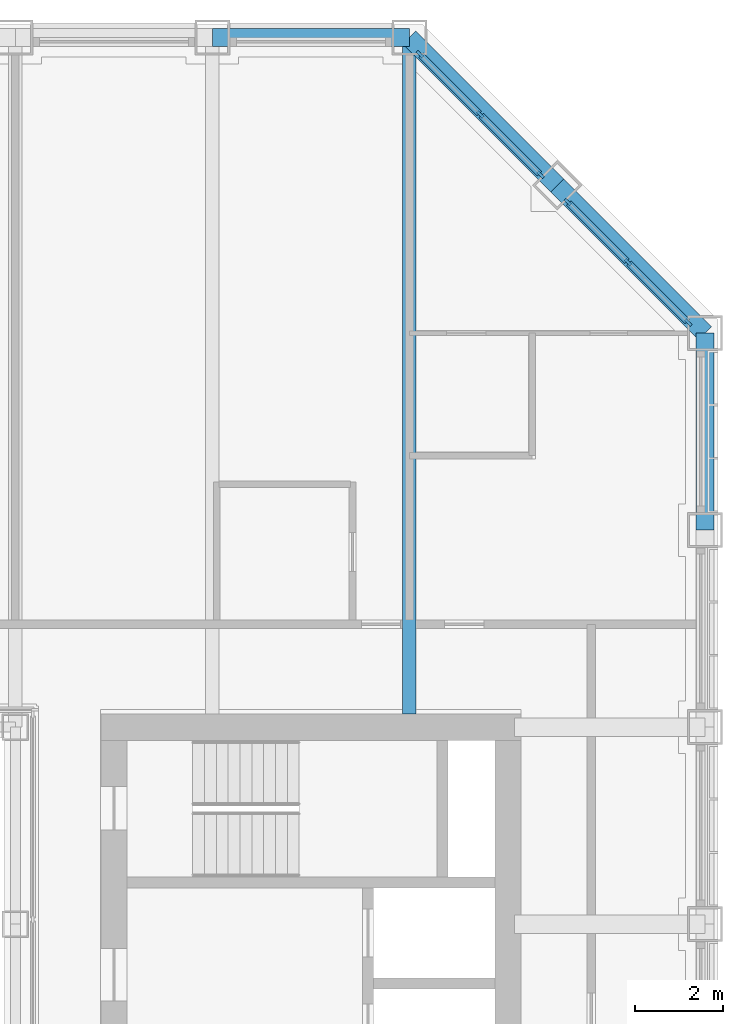
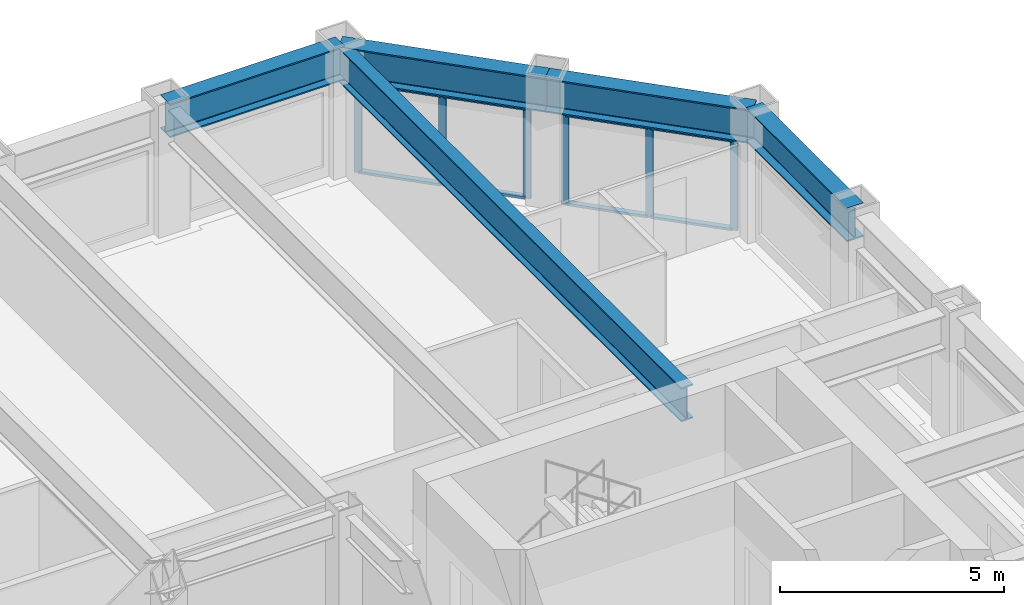
# One storey, part 8 of 17: 14 members, 5 beams, 2 elements without a shape of their own.
"""IFC4 building model written with IfcOpenShell, lengths in metres."""

from ifc_helpers import new_model, si_unit, direction, frame, origin, origin_2d, place, context, subcontext, project, spatial, rectangle, i_section, extrude, material, material_profile, profile_set, type_object, element, aggregate, save


model = new_model("IFC4")

# Units and contexts
model_context = context("Model", 3, precision=1e-05, world=origin(), true_north=direction((0.0, 1.0)))
body_context = subcontext(model_context, "Body", "Model", "MODEL_VIEW")
ifc_project = project(units=[si_unit("LENGTHUNIT", "METRE"), si_unit("AREAUNIT", "SQUARE_METRE"), si_unit("VOLUMEUNIT", "CUBIC_METRE"), si_unit("PLANEANGLEUNIT", "RADIAN"), si_unit("MASSUNIT", "GRAM", prefix="KILO")], contexts=[model_context])

# Site, building, storey
site_placement = place(None, origin())
site = spatial("IfcSite", under=ifc_project, at=site_placement, CompositionType="ELEMENT")
building_placement = place(site_placement, origin())
building = spatial("IfcBuilding", under=site, at=building_placement, Name="Msasa Ring Tower", CompositionType="ELEMENT")
storey_placement = place(building_placement, frame((0.0, 0.0, 161.60009765625)))
storey = spatial("IfcBuildingStorey", under=building, at=storey_placement, Name="L42", CompositionType="ELEMENT", Elevation=161.60009765625)

# Curtain wall, members
ifc_material_1 = material(Name="Aluminium curtain wall with clear glass", Category="aluminium")
curtain_wall_type = type_object("IfcCurtainWallType", Name="CW-C CHAMFER CORNER CURTAIN WALL", PredefinedType="NOTDEFINED", material=ifc_material_1)
curtain_wall_1_placement = place(storey_placement, origin())
curtain_wall_1 = element("IfcCurtainWall", 1, at=curtain_wall_1_placement, inside=storey, type_object=curtain_wall_type, Name="Chamfer corner curtain wall NE L42", PredefinedType="NOTDEFINED")
ifc_material_2 = material(Name="Aluminium mullion", Category="aluminium")
ifc_material_profile_1 = material_profile(ifc_material_2, rectangle(XDim=0.06494140625, YDim=0.179931640625, at=origin_2d()), Name="AL 65x180")
ifc_profile_set_1 = profile_set([ifc_material_profile_1], Name="Aluminium mullion")
member_type_1 = type_object("IfcMemberType", Name="CW-C MULLION 65x180", PredefinedType="MULLION", material=ifc_profile_set_1)
member_1_placement = place(storey_placement, frame((18.744873046875, 19.36376953125, 0.0), z_axis=(0.0, 0.0, 1.0), x_axis=(-0.707106781187, -0.707106781187, 0.0)))
member_1 = element("IfcMember", 2, at=member_1_placement, type_object=member_type_1, Name="CW-C mullion 1", PredefinedType="MULLION", context=body_context, shape_type="SweptSolid", body=[
    extrude(rectangle(XDim=0.06494140625, YDim=0.179931640625, at=origin_2d()), origin(), (0.0, 0.0, 1.0), 2.47900390625),
])
member_2_placement = place(storey_placement, frame((17.36669921875, 20.74169921875, 0.0), z_axis=(0.0, 0.0, 1.0), x_axis=(-0.707106781187, -0.707106781187, 0.0)))
member_2 = element("IfcMember", 3, at=member_2_placement, type_object=member_type_1, Name="CW-C mullion 2", PredefinedType="MULLION", context=body_context, shape_type="SweptSolid", body=[
    extrude(rectangle(XDim=0.06494140625, YDim=0.179931640625, at=origin_2d()), origin(), (0.0, 0.0, 1.0), 2.47900390625),
])
member_3_placement = place(storey_placement, frame((15.98876953125, 22.119873046875, 0.0), z_axis=(0.0, 0.0, 1.0), x_axis=(-0.707106781187, -0.707106781187, 0.0)))
member_3 = element("IfcMember", 4, at=member_3_placement, type_object=member_type_1, Name="CW-C mullion 3", PredefinedType="MULLION", context=body_context, shape_type="SweptSolid", body=[
    extrude(rectangle(XDim=0.06494140625, YDim=0.179931640625, at=origin_2d()), origin(), (0.0, 0.0, 1.0), 2.47900390625),
])

curtain_wall_2_placement = place(storey_placement, origin())
curtain_wall_2 = element("IfcCurtainWall", 5, at=curtain_wall_2_placement, inside=storey, type_object=curtain_wall_type, Name="Chamfer corner curtain wall NE L42", PredefinedType="NOTDEFINED")
member_4_placement = place(storey_placement, frame((22.119873046875, 15.98876953125, 0.0), z_axis=(0.0, 0.0, 1.0), x_axis=(-0.707106781187, -0.707106781187, 0.0)))
member_4 = element("IfcMember", 6, at=member_4_placement, type_object=member_type_1, Name="CW-C mullion 1", PredefinedType="MULLION", context=body_context, shape_type="SweptSolid", body=[
    extrude(rectangle(XDim=0.06494140625, YDim=0.179931640625, at=origin_2d()), origin(), (0.0, 0.0, 1.0), 2.47900390625),
])
member_5_placement = place(storey_placement, frame((20.74169921875, 17.36669921875, 0.0), z_axis=(0.0, 0.0, 1.0), x_axis=(-0.707106781187, -0.707106781187, 0.0)))
member_5 = element("IfcMember", 7, at=member_5_placement, type_object=member_type_1, Name="CW-C mullion 2", PredefinedType="MULLION", context=body_context, shape_type="SweptSolid", body=[
    extrude(rectangle(XDim=0.06494140625, YDim=0.179931640625, at=origin_2d()), origin(), (0.0, 0.0, 1.0), 2.47900390625),
])
member_6_placement = place(storey_placement, frame((19.36376953125, 18.744873046875, 0.0), z_axis=(0.0, 0.0, 1.0), x_axis=(-0.707106781187, -0.707106781187, 0.0)))
member_6 = element("IfcMember", 8, at=member_6_placement, type_object=member_type_1, Name="CW-C mullion 3", PredefinedType="MULLION", context=body_context, shape_type="SweptSolid", body=[
    extrude(rectangle(XDim=0.06494140625, YDim=0.179931640625, at=origin_2d()), origin(), (0.0, 0.0, 1.0), 2.47900390625),
])

# Member
ifc_material_3 = material(Name="Aluminium transom", Category="aluminium")
ifc_material_profile_2 = material_profile(ifc_material_3, rectangle(XDim=0.139892578125, YDim=0.06494140625, at=origin_2d()), Name="AL 65x140")
ifc_profile_set_2 = profile_set([ifc_material_profile_2], Name="Aluminium transom")
member_type_2 = type_object("IfcMemberType", Name="CW-C TRANSOM 65x140", PredefinedType="USERDEFINED", material=ifc_profile_set_2)
member_7_placement = place(storey_placement, frame((18.721923828125, 19.38671875, 0.032470703125), z_axis=(-0.707106781187, 0.707106781187, 0.0), x_axis=(-0.707106781187, -0.707106781187, 0.0)))
member_7 = element("IfcMember", 9, at=member_7_placement, type_object=member_type_2, Name="CW-C transom 1.1", ObjectType="TRANSOM", PredefinedType="USERDEFINED", context=body_context, shape_type="SweptSolid", body=[
    extrude(rectangle(XDim=0.139892578125, YDim=0.06494140625, at=origin_2d()), origin(), (0.0, 0.0, 1.0), 1.8837890625),
])

member_8_placement = place(storey_placement, frame((18.721923828125, 19.38671875, 2.4462890625), z_axis=(-0.707106781187, 0.707106781187, 0.0), x_axis=(-0.707106781187, -0.707106781187, 0.0)))
member_8 = element("IfcMember", 10, at=member_8_placement, type_object=member_type_2, Name="CW-C transom 1.2", ObjectType="TRANSOM", PredefinedType="USERDEFINED", context=body_context, shape_type="SweptSolid", body=[
    extrude(rectangle(XDim=0.139892578125, YDim=0.06494140625, at=origin_2d()), origin(), (0.0, 0.0, 1.0), 1.8837890625),
])

member_9_placement = place(storey_placement, frame((17.34375, 20.764892578125, 0.032470703125), z_axis=(-0.707106781187, 0.707106781187, 0.0), x_axis=(-0.707106781187, -0.707106781187, 0.0)))
member_9 = element("IfcMember", 11, at=member_9_placement, type_object=member_type_2, Name="CW-C transom 2.1", ObjectType="TRANSOM", PredefinedType="USERDEFINED", context=body_context, shape_type="SweptSolid", body=[
    extrude(rectangle(XDim=0.139892578125, YDim=0.06494140625, at=origin_2d()), origin(), (0.0, 0.0, 1.0), 1.8837890625),
])

member_10_placement = place(storey_placement, frame((17.34375, 20.764892578125, 2.4462890625), z_axis=(-0.707106781187, 0.707106781187, 0.0), x_axis=(-0.707106781187, -0.707106781187, 0.0)))
member_10 = element("IfcMember", 12, at=member_10_placement, type_object=member_type_2, Name="CW-C transom 2.2", ObjectType="TRANSOM", PredefinedType="USERDEFINED", context=body_context, shape_type="SweptSolid", body=[
    extrude(rectangle(XDim=0.139892578125, YDim=0.06494140625, at=origin_2d()), origin(), (0.0, 0.0, 1.0), 1.8837890625),
])

aggregate(curtain_wall_1, [member_1, member_2, member_3, member_7, member_8, member_9, member_10])

member_11_placement = place(storey_placement, frame((22.096923828125, 16.01171875, 0.032470703125), z_axis=(-0.707106781187, 0.707106781187, 0.0), x_axis=(-0.707106781187, -0.707106781187, 0.0)))
member_11 = element("IfcMember", 13, at=member_11_placement, type_object=member_type_2, Name="CW-C transom 1.1", ObjectType="TRANSOM", PredefinedType="USERDEFINED", context=body_context, shape_type="SweptSolid", body=[
    extrude(rectangle(XDim=0.139892578125, YDim=0.06494140625, at=origin_2d()), origin(), (0.0, 0.0, 1.0), 1.8837890625),
])

member_12_placement = place(storey_placement, frame((22.096923828125, 16.01171875, 2.4462890625), z_axis=(-0.707106781187, 0.707106781187, 0.0), x_axis=(-0.707106781187, -0.707106781187, 0.0)))
member_12 = element("IfcMember", 14, at=member_12_placement, type_object=member_type_2, Name="CW-C transom 1.2", ObjectType="TRANSOM", PredefinedType="USERDEFINED", context=body_context, shape_type="SweptSolid", body=[
    extrude(rectangle(XDim=0.139892578125, YDim=0.06494140625, at=origin_2d()), origin(), (0.0, 0.0, 1.0), 1.8837890625),
])

member_13_placement = place(storey_placement, frame((20.71875, 17.389892578125, 0.032470703125), z_axis=(-0.707106781187, 0.707106781187, 0.0), x_axis=(-0.707106781187, -0.707106781187, 0.0)))
member_13 = element("IfcMember", 15, at=member_13_placement, type_object=member_type_2, Name="CW-C transom 2.1", ObjectType="TRANSOM", PredefinedType="USERDEFINED", context=body_context, shape_type="SweptSolid", body=[
    extrude(rectangle(XDim=0.139892578125, YDim=0.06494140625, at=origin_2d()), origin(), (0.0, 0.0, 1.0), 1.8837890625),
])

member_14_placement = place(storey_placement, frame((20.71875, 17.389892578125, 2.4462890625), z_axis=(-0.707106781187, 0.707106781187, 0.0), x_axis=(-0.707106781187, -0.707106781187, 0.0)))
member_14 = element("IfcMember", 16, at=member_14_placement, type_object=member_type_2, Name="CW-C transom 2.2", ObjectType="TRANSOM", PredefinedType="USERDEFINED", context=body_context, shape_type="SweptSolid", body=[
    extrude(rectangle(XDim=0.139892578125, YDim=0.06494140625, at=origin_2d()), origin(), (0.0, 0.0, 1.0), 1.8837890625),
])

aggregate(curtain_wall_2, [member_4, member_5, member_6, member_11, member_12, member_13, member_14])

# Beams
ifc_material_4 = material(Name="Steel S355", Category="steel")
ifc_material_profile_3 = material_profile(ifc_material_4, i_section(OverallWidth=0.3076171875, OverallDepth=0.926513671875, WebThickness=0.01953125, FlangeThickness=0.031982421875, FilletRadius=0.01904296875, at=origin_2d()), Name="UB 914x305x289")
ifc_profile_set_3 = profile_set([ifc_material_profile_3], Name="Steel S355")
beam_type_1 = type_object("IfcBeamType", Name="FB3 UB 914x305x289", PredefinedType="BEAM", material=ifc_profile_set_3)
beam_1_placement = place(storey_placement, frame((15.75, 22.5, 2.9365234375), z_axis=(0.0, -1.0, 0.0), x_axis=(1.0, 0.0, 0.0)))
element("IfcBeam", 17, at=beam_1_placement, inside=storey, type_object=beam_type_1, Name="Floor beam N+15.75 under L43", PredefinedType="BEAM", context=body_context, shape_type="SweptSolid", body=[
    extrude(i_section(OverallWidth=0.3076171875, OverallDepth=0.926513671875, WebThickness=0.01953125, FlangeThickness=0.031982421875, FilletRadius=0.01904296875, at=origin_2d()), origin(), (0.0, 0.0, 1.0), 15.449951171875),
])
ifc_material_5 = material(Name="Steel S355", Category="steel")
ifc_material_profile_4 = material_profile(ifc_material_5, i_section(OverallWidth=0.42041015625, OverallDepth=0.9208984375, WebThickness=0.021484375, FlangeThickness=0.03662109375, FilletRadius=0.024169921875, at=origin_2d()), Name="UB 914x419x388")
ifc_profile_set_4 = profile_set([ifc_material_profile_4], Name="Steel S355")
beam_type_2 = type_object("IfcBeamType", Name="SB1 UB 914x419x388", PredefinedType="SPANDREL", material=ifc_profile_set_4)
beam_2_placement = place(storey_placement, frame((22.5, 11.25, 2.939453125), z_axis=(0.0, 1.0, 0.0), x_axis=(-1.0, 0.0, 0.0)))
element("IfcBeam", 18, at=beam_2_placement, inside=storey, type_object=beam_type_2, Name="Spandrel E+11.25 to E+15.75 under L43", PredefinedType="SPANDREL", context=body_context, shape_type="SweptSolid", body=[
    extrude(i_section(OverallWidth=0.42041015625, OverallDepth=0.9208984375, WebThickness=0.021484375, FlangeThickness=0.03662109375, FilletRadius=0.024169921875, at=origin_2d()), origin(), (0.0, 0.0, 1.0), 4.5),
])
for number, where, z_axis, x_axis, name in (
    (19, (22.5, 15.75, 2.939453125), (-0.707106781187, 0.707106781187, 0.0), (-0.707106781187, -0.707106781187, 0.0), "Spandrel E+15.75 to NE under L43"),
    (20, (19.125, 19.125, 2.939453125), (-0.707106781187, 0.707106781187, 0.0), (-0.707106781187, -0.707106781187, 0.0), "Spandrel NE to N+15.75 under L43"),
):
    element("IfcBeam", number, at=place(storey_placement, frame(where, z_axis=z_axis, x_axis=x_axis)), inside=storey, type_object=beam_type_2, Name=name, PredefinedType="SPANDREL", context=body_context, shape_type="SweptSolid", body=[
        extrude(i_section(OverallWidth=0.42041015625, OverallDepth=0.9208984375, WebThickness=0.021484375, FlangeThickness=0.03662109375, FilletRadius=0.024169921875, at=origin_2d()), origin(), (0.0, 0.0, 1.0), 4.77294921875),
    ])
beam_3_placement = place(storey_placement, frame((15.75, 22.5, 2.939453125), z_axis=(-1.0, 0.0, 0.0), x_axis=(0.0, -1.0, 0.0)))
element("IfcBeam", 21, at=beam_3_placement, inside=storey, type_object=beam_type_2, Name="Spandrel N+15.75 to N+11.25 under L43", PredefinedType="SPANDREL", context=body_context, shape_type="SweptSolid", body=[
    extrude(i_section(OverallWidth=0.42041015625, OverallDepth=0.9208984375, WebThickness=0.021484375, FlangeThickness=0.03662109375, FilletRadius=0.024169921875, at=origin_2d()), origin(), (0.0, 0.0, 1.0), 4.5),
])

save(model, "model.ifc")
